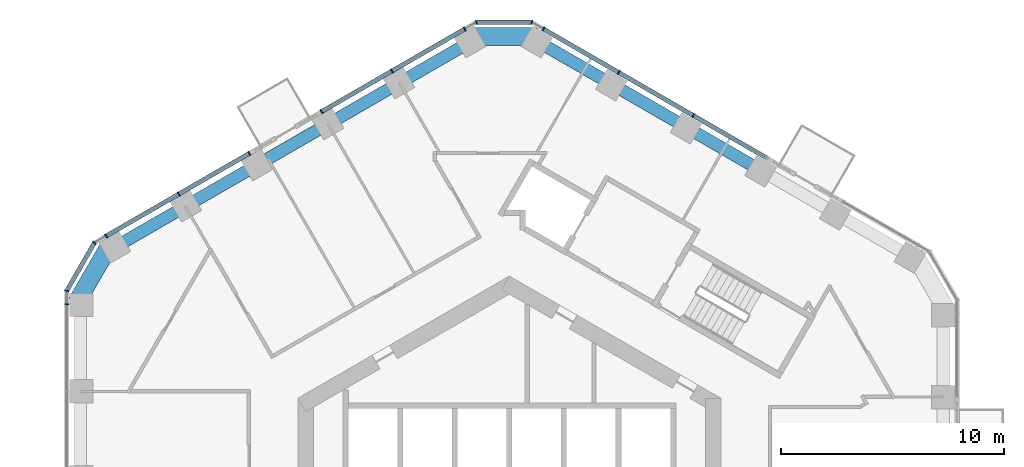
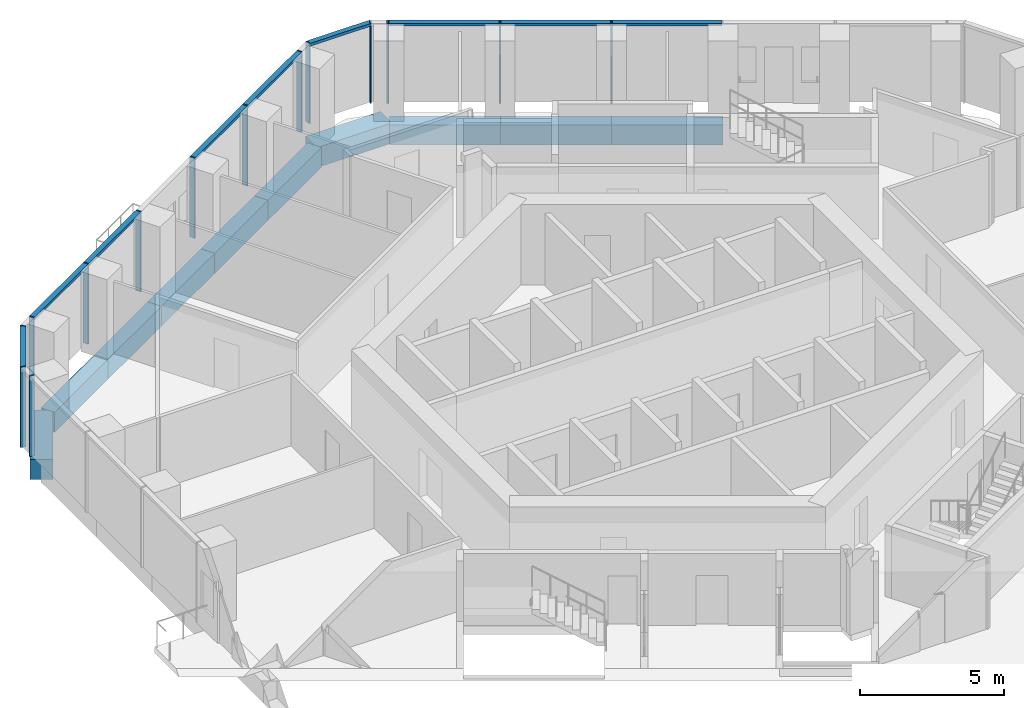
# One storey, part 6 of 20: 19 members, 10 beams, 6 elements without a shape of their own.
"""IFC4 building model written with IfcOpenShell, lengths in metres."""

from ifc_helpers import new_model, si_unit, direction, frame, origin, origin_2d, place, context, subcontext, project, spatial, rectangle, extrude, material, layer, layer_set, material_profile, profile_set, type_object, element, aggregate, save


model = new_model("IFC4")

# Units and contexts
model_context = context("Model", 3, precision=1e-05, world=origin(), true_north=direction((0.0, 1.0)))
body_context = subcontext(model_context, "Body", "Model", "MODEL_VIEW")
ifc_project = project(units=[si_unit("LENGTHUNIT", "METRE"), si_unit("AREAUNIT", "SQUARE_METRE"), si_unit("VOLUMEUNIT", "CUBIC_METRE"), si_unit("PLANEANGLEUNIT", "RADIAN"), si_unit("MASSUNIT", "GRAM", prefix="KILO")], contexts=[model_context])

# Site, building, storey
site_placement = place(None, origin())
site = spatial("IfcSite", under=ifc_project, at=site_placement, CompositionType="ELEMENT")
building_placement = place(site_placement, origin())
building = spatial("IfcBuilding", under=site, at=building_placement, Name="Ayvan Gate Tower", CompositionType="ELEMENT")
storey_placement = place(building_placement, frame((0.0, 0.0, 96.699951171875)))
storey = spatial("IfcBuildingStorey", under=building, at=storey_placement, Name="L25", CompositionType="ELEMENT", Elevation=96.699951171875)

# Beams
ifc_material_1 = material(Name="Concrete C40/50", Category="concrete")
ifc_material_profile_1 = material_profile(ifc_material_1, rectangle(XDim=0.800048828125, YDim=0.85009765625, at=origin_2d()), Name="RC 800x850")
ifc_profile_set_1 = profile_set([ifc_material_profile_1], Name="Concrete C40/50")
beam_type_1 = type_object("IfcBeamType", Name="Corner spandrel beam RC 800x850 C40/50", PredefinedType="BEAM", material=ifc_profile_set_1)
for number, where, z_axis, x_axis, name in (
    (1, (1.276123046875, 21.724609375, -0.77490234375), (-1.0, 0.0, 0.0), (0.0, -1.0, 0.0), "SB-L25-12"),
    (2, (-17.9521484375, 12.355224609375, -0.77490234375), (-0.499990139034, -0.866031096941, 0.0), (0.866031096941, -0.499990139034, 0.0), "SB-L25-18"),
):
    element("IfcBeam", number, at=place(storey_placement, frame(where, z_axis=z_axis, x_axis=x_axis)), inside=storey, type_object=beam_type_1, Name=name, PredefinedType="BEAM", context=body_context, shape_type="SweptSolid", body=[
        extrude(rectangle(XDim=0.800048828125, YDim=0.85009765625, at=origin_2d()), origin(), (0.0, 0.0, 1.0), 3.0),
    ])
ifc_material_profile_2 = material_profile(ifc_material_1, rectangle(XDim=0.550048828125, YDim=0.85009765625, at=origin_2d()), Name="RC 550x850")
ifc_profile_set_2 = profile_set([ifc_material_profile_2], Name="Concrete C40/50")
beam_type_2 = type_object("IfcBeamType", Name="Spandrel beam RC 550x850 C40/50", PredefinedType="BEAM", material=ifc_profile_set_2)
beam_1_placement = place(storey_placement, frame((11.3017578125, 15.71630859375, -0.77490234375), z_axis=(-0.8660191159, 0.500010890777, 0.0), x_axis=(-0.500010890777, -0.8660191159, 0.0)))
element("IfcBeam", 3, at=beam_1_placement, inside=storey, type_object=beam_type_2, Name="SB-L25-9", PredefinedType="BEAM", context=body_context, shape_type="SweptSolid", body=[
    extrude(rectangle(XDim=0.550048828125, YDim=0.85009765625, at=origin_2d()), origin(), (0.0, 0.0, 1.0), 3.85888671875),
])
beam_2_placement = place(storey_placement, frame((7.9599609375, 17.645751953125, -0.77490234375), z_axis=(-0.866034932412, 0.49998349557, 0.0), x_axis=(-0.49998349557, -0.866034932412, 0.0)))
element("IfcBeam", 4, at=beam_2_placement, inside=storey, type_object=beam_type_2, Name="SB-L25-10", PredefinedType="BEAM", context=body_context, shape_type="SweptSolid", body=[
    extrude(rectangle(XDim=0.550048828125, YDim=0.85009765625, at=origin_2d()), origin(), (0.0, 0.0, 1.0), 3.859130859375),
])
beam_3_placement = place(storey_placement, frame((4.617919921875, 19.5751953125, -0.77490234375), z_axis=(-0.8660191159, 0.500010890777, 0.0), x_axis=(-0.500010890777, -0.8660191159, 0.0)))
element("IfcBeam", 5, at=beam_3_placement, inside=storey, type_object=beam_type_2, Name="SB-L25-11", PredefinedType="BEAM", context=body_context, shape_type="SweptSolid", body=[
    extrude(rectangle(XDim=0.550048828125, YDim=0.85009765625, at=origin_2d()), origin(), (0.0, 0.0, 1.0), 3.85888671875),
])
for number, where, z_axis, x_axis, name in (
    (6, (-1.723876953125, 21.504638671875, -0.77490234375), (-0.866031906936, -0.499988736041, 0.0), (0.499988736041, -0.866031906936, 0.0), "SB-L25-13"),
    (7, (-4.931396484375, 19.65283203125, -0.77490234375), (-0.866031906936, -0.499988736041, 0.0), (0.499988736041, -0.866031906936, 0.0), "SB-L25-14"),
):
    element("IfcBeam", number, at=place(storey_placement, frame(where, z_axis=z_axis, x_axis=x_axis)), inside=storey, type_object=beam_type_2, Name=name, PredefinedType="BEAM", context=body_context, shape_type="SweptSolid", body=[
        extrude(rectangle(XDim=0.550048828125, YDim=0.85009765625, at=origin_2d()), origin(), (0.0, 0.0, 1.0), 3.70361328125),
    ])
beam_4_placement = place(storey_placement, frame((-8.138916015625, 17.801025390625, -0.77490234375), z_axis=(-0.866019843608, -0.500009630384, 0.0), x_axis=(0.500009630384, -0.866019843608, 0.0)))
element("IfcBeam", 8, at=beam_4_placement, inside=storey, type_object=beam_type_2, Name="SB-L25-15", PredefinedType="BEAM", context=body_context, shape_type="SweptSolid", body=[
    extrude(rectangle(XDim=0.550048828125, YDim=0.85009765625, at=origin_2d()), origin(), (0.0, 0.0, 1.0), 3.7041015625),
])
for number, where, z_axis, x_axis, name in (
    (9, (-11.3466796875, 15.948974609375, -0.77490234375), (-0.866031906936, -0.499988736041, 0.0), (0.499988736041, -0.866031906936, 0.0), "SB-L25-16"),
    (10, (-14.55419921875, 14.09716796875, -0.77490234375), (-0.866031906936, -0.499988736041, 0.0), (0.499988736041, -0.866031906936, 0.0), "SB-L25-17"),
):
    element("IfcBeam", number, at=place(storey_placement, frame(where, z_axis=z_axis, x_axis=x_axis)), inside=storey, type_object=beam_type_2, Name=name, PredefinedType="BEAM", context=body_context, shape_type="SweptSolid", body=[
        extrude(rectangle(XDim=0.550048828125, YDim=0.85009765625, at=origin_2d()), origin(), (0.0, 0.0, 1.0), 3.70361328125),
    ])

# Curtain wall, members
ifc_material_2 = material(Name="Bronze anodised aluminium", Category="aluminium")
ifc_layer_1 = layer(ifc_material_2, 0.199951171875)
ifc_layer_set_1 = layer_set([ifc_layer_1], Name="Bronze anodised aluminium")
curtain_wall_type_1 = type_object("IfcCurtainWallType", Name="Stick curtain wall CW-1", PredefinedType="NOTDEFINED", material=ifc_layer_set_1)
curtain_wall_1_placement = place(storey_placement, origin())
curtain_wall_1 = element("IfcCurtainWall", 11, at=curtain_wall_1_placement, inside=storey, type_object=curtain_wall_type_1, Name="Stick curtain wall CW-1 L25", PredefinedType="NOTDEFINED")
ifc_material_profile_3 = material_profile(ifc_material_2, rectangle(XDim=0.199951171875, YDim=0.06005859375, at=origin_2d()), Name="Stick curtain wall CW-1 mullion 200 x 60")
ifc_profile_set_3 = profile_set([ifc_material_profile_3], Name="Bronze anodised aluminium")
member_type_1 = type_object("IfcMemberType", Name="Stick curtain wall CW-1 mullion 200 x 60", PredefinedType="MULLION", material=ifc_profile_set_3)
member_1_placement = place(storey_placement, frame((-2.004638671875, 22.064208984375, 0.0), z_axis=(0.0, 0.0, 1.0), x_axis=(-0.5, 0.866025403784, 0.0)))
member_1 = element("IfcMember", 12, at=member_1_placement, type_object=member_type_1, Name="CW-1 mullion 1", PredefinedType="MULLION", context=body_context, shape_type="SweptSolid", body=[
    extrude(rectangle(XDim=0.199951171875, YDim=0.06005859375, at=origin_2d()), origin(), (0.0, 0.0, 1.0), 3.400146484375),
])
member_2_placement = place(storey_placement, frame((-5.26953125, 20.179443359375, 0.0), z_axis=(0.0, 0.0, 1.0), x_axis=(-0.5, 0.866025403784, 0.0)))
member_2 = element("IfcMember", 13, at=member_2_placement, type_object=member_type_1, Name="CW-1 mullion 2", PredefinedType="MULLION", context=body_context, shape_type="SweptSolid", body=[
    extrude(rectangle(XDim=0.199951171875, YDim=0.06005859375, at=origin_2d()), origin(), (0.0, 0.0, 1.0), 3.400146484375),
])
member_3_placement = place(storey_placement, frame((-8.43408203125, 18.352294921875, 0.0), z_axis=(0.0, 0.0, 1.0), x_axis=(-0.5, 0.866025403784, 0.0)))
member_3 = element("IfcMember", 14, at=member_3_placement, type_object=member_type_1, Name="CW-1 mullion 3", PredefinedType="MULLION", context=body_context, shape_type="SweptSolid", body=[
    extrude(rectangle(XDim=0.199951171875, YDim=0.06005859375, at=origin_2d()), origin(), (0.0, 0.0, 1.0), 3.400146484375),
])

curtain_wall_2_placement = place(storey_placement, origin())
curtain_wall_2 = element("IfcCurtainWall", 15, at=curtain_wall_2_placement, inside=storey, type_object=curtain_wall_type_1, Name="Stick curtain wall CW-1 L25", PredefinedType="NOTDEFINED")
member_4_placement = place(storey_placement, frame((-11.67626953125, 16.480224609375, 0.0), z_axis=(0.0, 0.0, 1.0), x_axis=(-0.5, 0.866025403784, 0.0)))
member_4 = element("IfcMember", 16, at=member_4_placement, type_object=member_type_1, Name="CW-1 mullion 1", PredefinedType="MULLION", context=body_context, shape_type="SweptSolid", body=[
    extrude(rectangle(XDim=0.199951171875, YDim=0.06005859375, at=origin_2d()), origin(), (0.0, 0.0, 1.0), 3.400146484375),
])
member_5_placement = place(storey_placement, frame((-14.8408203125, 14.6533203125, 0.0), z_axis=(0.0, 0.0, 1.0), x_axis=(-0.5, 0.866025403784, 0.0)))
member_5 = element("IfcMember", 17, at=member_5_placement, type_object=member_type_1, Name="CW-1 mullion 2", PredefinedType="MULLION", context=body_context, shape_type="SweptSolid", body=[
    extrude(rectangle(XDim=0.199951171875, YDim=0.06005859375, at=origin_2d()), origin(), (0.0, 0.0, 1.0), 3.400146484375),
])
member_6_placement = place(storey_placement, frame((-18.10595703125, 12.768310546875, 0.0), z_axis=(0.0, 0.0, 1.0), x_axis=(-0.5, 0.866025403784, 0.0)))
member_6 = element("IfcMember", 18, at=member_6_placement, type_object=member_type_1, Name="CW-1 mullion 3", PredefinedType="MULLION", context=body_context, shape_type="SweptSolid", body=[
    extrude(rectangle(XDim=0.199951171875, YDim=0.06005859375, at=origin_2d()), origin(), (0.0, 0.0, 1.0), 3.400146484375),
])

# Curtain wall, member
curtain_wall_3_placement = place(storey_placement, origin())
curtain_wall_3 = element("IfcCurtainWall", 19, at=curtain_wall_3_placement, inside=storey, type_object=curtain_wall_type_1, Name="Stick curtain wall CW-1 L25", PredefinedType="NOTDEFINED")
member_7_placement = place(storey_placement, frame((-19.873291015625, 9.707275390625, 0.0), z_axis=(0.0, 0.0, 1.0), x_axis=(-1.0, 0.0, 0.0)))
member_7 = element("IfcMember", 20, at=member_7_placement, type_object=member_type_1, Name="CW-1 mullion 1", PredefinedType="MULLION", context=body_context, shape_type="SweptSolid", body=[
    extrude(rectangle(XDim=0.199951171875, YDim=0.06005859375, at=origin_2d()), origin(), (0.0, 0.0, 1.0), 3.400146484375),
])
aggregate(curtain_wall_3, [member_7])

# Curtain wall, members
curtain_wall_4_placement = place(storey_placement, origin())
curtain_wall_4 = element("IfcCurtainWall", 21, at=curtain_wall_4_placement, inside=storey, type_object=curtain_wall_type_1, Name="Stick curtain wall CW-1 L25", PredefinedType="NOTDEFINED")
member_8_placement = place(storey_placement, frame((8.260986328125, 18.177978515625, 0.0), z_axis=(0.0, 0.0, 1.0), x_axis=(0.5, 0.866025403784, 0.0)))
member_8 = element("IfcMember", 22, at=member_8_placement, type_object=member_type_1, Name="CW-1 mullion 2", PredefinedType="MULLION", context=body_context, shape_type="SweptSolid", body=[
    extrude(rectangle(XDim=0.199951171875, YDim=0.06005859375, at=origin_2d()), origin(), (0.0, 0.0, 1.0), 3.400146484375),
])
member_9_placement = place(storey_placement, frame((4.910400390625, 20.112548828125, 0.0), z_axis=(0.0, 0.0, 1.0), x_axis=(0.5, 0.866025403784, 0.0)))
member_9 = element("IfcMember", 23, at=member_9_placement, type_object=member_type_1, Name="CW-1 mullion 3", PredefinedType="MULLION", context=body_context, shape_type="SweptSolid", body=[
    extrude(rectangle(XDim=0.199951171875, YDim=0.06005859375, at=origin_2d()), origin(), (0.0, 0.0, 1.0), 3.400146484375),
])
member_10_placement = place(storey_placement, frame((1.52978515625, 22.064208984375, 0.0), z_axis=(0.0, 0.0, 1.0), x_axis=(0.5, 0.866025403784, 0.0)))
member_10 = element("IfcMember", 24, at=member_10_placement, type_object=member_type_1, Name="CW-1 mullion 4", PredefinedType="MULLION", context=body_context, shape_type="SweptSolid", body=[
    extrude(rectangle(XDim=0.199951171875, YDim=0.06005859375, at=origin_2d()), origin(), (0.0, 0.0, 1.0), 3.400146484375),
])

# Member
ifc_material_profile_4 = material_profile(ifc_material_2, rectangle(XDim=0.199951171875, YDim=0.1201171875, at=origin_2d()), Name="Stick curtain wall CW-1 transom 200 x 120")
ifc_profile_set_4 = profile_set([ifc_material_profile_4], Name="Bronze anodised aluminium")
member_type_2 = type_object("IfcMemberType", Name="Stick curtain wall CW-1 transom 200 x 120", PredefinedType="USERDEFINED", material=ifc_profile_set_4)
member_11_placement = place(storey_placement, frame((-2.004638671875, 22.064208984375, 3.340087890625), z_axis=(-0.866032798937, -0.499987191002, 0.0), x_axis=(0.499987191002, -0.866032798937, 0.0)))
member_11 = element("IfcMember", 25, at=member_11_placement, type_object=member_type_2, Name="CW-1 transom 1", ObjectType="TRANSOM", PredefinedType="USERDEFINED", context=body_context, shape_type="SweptSolid", body=[
    extrude(rectangle(XDim=0.199951171875, YDim=0.1201171875, at=origin_2d()), origin(), (0.0, 0.0, 1.0), 7.424072265625),
])

aggregate(curtain_wall_1, [member_1, member_2, member_3, member_11])

member_12_placement = place(storey_placement, frame((-11.67626953125, 16.480224609375, 3.340087890625), z_axis=(-0.866041019474, -0.499972951856, 0.0), x_axis=(0.499972951856, -0.866041019474, 0.0)))
member_12 = element("IfcMember", 26, at=member_12_placement, type_object=member_type_2, Name="CW-1 transom 1", ObjectType="TRANSOM", PredefinedType="USERDEFINED", context=body_context, shape_type="SweptSolid", body=[
    extrude(rectangle(XDim=0.199951171875, YDim=0.1201171875, at=origin_2d()), origin(), (0.0, 0.0, 1.0), 7.42431640625),
])

aggregate(curtain_wall_2, [member_4, member_5, member_6, member_12])

member_13_placement = place(storey_placement, frame((11.585693359375, 16.258544921875, 3.340087890625), z_axis=(-0.866029776036, 0.499992426962, 0.0), x_axis=(-0.499992426962, -0.866029776036, 0.0)))
member_13 = element("IfcMember", 27, at=member_13_placement, type_object=member_type_2, Name="CW-1 transom 1", ObjectType="TRANSOM", PredefinedType="USERDEFINED", context=body_context, shape_type="SweptSolid", body=[
    extrude(rectangle(XDim=0.199951171875, YDim=0.1201171875, at=origin_2d()), origin(), (0.0, 0.0, 1.0), 11.611572265625),
])

aggregate(curtain_wall_4, [member_8, member_9, member_10, member_13])

# Curtain wall, members
ifc_layer_2 = layer(ifc_material_2, 0.199951171875)
ifc_layer_set_2 = layer_set([ifc_layer_2], Name="Bronze anodised aluminium")
curtain_wall_type_2 = type_object("IfcCurtainWallType", Name="Stick curtain wall CW-6", PredefinedType="NOTDEFINED", material=ifc_layer_set_2)
curtain_wall_5_placement = place(storey_placement, origin())
curtain_wall_5 = element("IfcCurtainWall", 28, at=curtain_wall_5_placement, inside=storey, type_object=curtain_wall_type_2, Name="Stick curtain wall CW-6 L25", PredefinedType="NOTDEFINED")
ifc_material_profile_5 = material_profile(ifc_material_2, rectangle(XDim=0.199951171875, YDim=0.050048828125, at=origin_2d()), Name="Stick curtain wall CW-6 mullion 200 x 50")
ifc_profile_set_5 = profile_set([ifc_material_profile_5], Name="Bronze anodised aluminium")
member_type_3 = type_object("IfcMemberType", Name="Stick curtain wall CW-6 mullion 200 x 50", PredefinedType="MULLION", material=ifc_profile_set_5)
member_14_placement = place(storey_placement, frame((-18.6298828125, 12.4658203125, 0.0), z_axis=(0.0, 0.0, 1.0), x_axis=(-0.707106781187, 0.707106781187, 0.0)))
member_14 = element("IfcMember", 29, at=member_14_placement, type_object=member_type_3, Name="CW-6 mullion 2", PredefinedType="MULLION", context=body_context, shape_type="SweptSolid", body=[
    extrude(rectangle(XDim=0.199951171875, YDim=0.050048828125, at=origin_2d()), origin(), (0.0, 0.0, 1.0), 3.400146484375),
])
member_15_placement = place(storey_placement, frame((-19.873291015625, 10.312255859375, 0.0), z_axis=(0.0, 0.0, 1.0), x_axis=(-0.965925826289, 0.258819045103, 0.0)))
member_15 = element("IfcMember", 30, at=member_15_placement, type_object=member_type_3, Name="CW-6 mullion 3", PredefinedType="MULLION", context=body_context, shape_type="SweptSolid", body=[
    extrude(rectangle(XDim=0.199951171875, YDim=0.050048828125, at=origin_2d()), origin(), (0.0, 0.0, 1.0), 3.400146484375),
])

curtain_wall_6_placement = place(storey_placement, origin())
curtain_wall_6 = element("IfcCurtainWall", 31, at=curtain_wall_6_placement, inside=storey, type_object=curtain_wall_type_2, Name="Stick curtain wall CW-6 L25", PredefinedType="NOTDEFINED")
member_16_placement = place(storey_placement, frame((1.005859375, 22.366943359375, 0.0), z_axis=(0.0, 0.0, 1.0), x_axis=(0.258819045103, 0.965925826289, 0.0)))
member_16 = element("IfcMember", 32, at=member_16_placement, type_object=member_type_3, Name="CW-6 mullion 2", PredefinedType="MULLION", context=body_context, shape_type="SweptSolid", body=[
    extrude(rectangle(XDim=0.199951171875, YDim=0.050048828125, at=origin_2d()), origin(), (0.0, 0.0, 1.0), 3.400146484375),
])
member_17_placement = place(storey_placement, frame((-1.480712890625, 22.366943359375, 0.0), z_axis=(0.0, 0.0, 1.0), x_axis=(-0.258819045103, 0.965925826289, 0.0)))
member_17 = element("IfcMember", 33, at=member_17_placement, type_object=member_type_3, Name="CW-6 mullion 3", PredefinedType="MULLION", context=body_context, shape_type="SweptSolid", body=[
    extrude(rectangle(XDim=0.199951171875, YDim=0.050048828125, at=origin_2d()), origin(), (0.0, 0.0, 1.0), 3.400146484375),
])

# Member
ifc_material_profile_6 = material_profile(ifc_material_2, rectangle(XDim=0.199951171875, YDim=0.1201171875, at=origin_2d()), Name="Stick curtain wall CW-6 transom 200 x 120")
ifc_profile_set_6 = profile_set([ifc_material_profile_6], Name="Bronze anodised aluminium")
member_type_4 = type_object("IfcMemberType", Name="Stick curtain wall CW-6 transom 200 x 120", PredefinedType="USERDEFINED", material=ifc_profile_set_6)
member_18_placement = place(storey_placement, frame((-18.642333984375, 12.444091796875, 3.340087890625), z_axis=(-0.499997116, -0.866027068856, 0.0), x_axis=(0.866027068856, -0.499997116, 0.0)))
member_18 = element("IfcMember", 34, at=member_18_placement, type_object=member_type_4, Name="CW-6 transom 2", ObjectType="TRANSOM", PredefinedType="USERDEFINED", context=body_context, shape_type="SweptSolid", body=[
    extrude(rectangle(XDim=0.199951171875, YDim=0.1201171875, at=origin_2d()), origin(), (0.0, 0.0, 1.0), 2.4365234375),
])

aggregate(curtain_wall_5, [member_14, member_15, member_18])

member_19_placement = place(storey_placement, frame((0.98095703125, 22.366943359375, 3.340087890625), z_axis=(-1.0, 0.0, 0.0), x_axis=(0.0, -1.0, 0.0)))
member_19 = element("IfcMember", 35, at=member_19_placement, type_object=member_type_4, Name="CW-6 transom 2", ObjectType="TRANSOM", PredefinedType="USERDEFINED", context=body_context, shape_type="SweptSolid", body=[
    extrude(rectangle(XDim=0.199951171875, YDim=0.1201171875, at=origin_2d()), origin(), (0.0, 0.0, 1.0), 2.4365234375),
])

aggregate(curtain_wall_6, [member_16, member_17, member_19])

save(model, "model.ifc")
